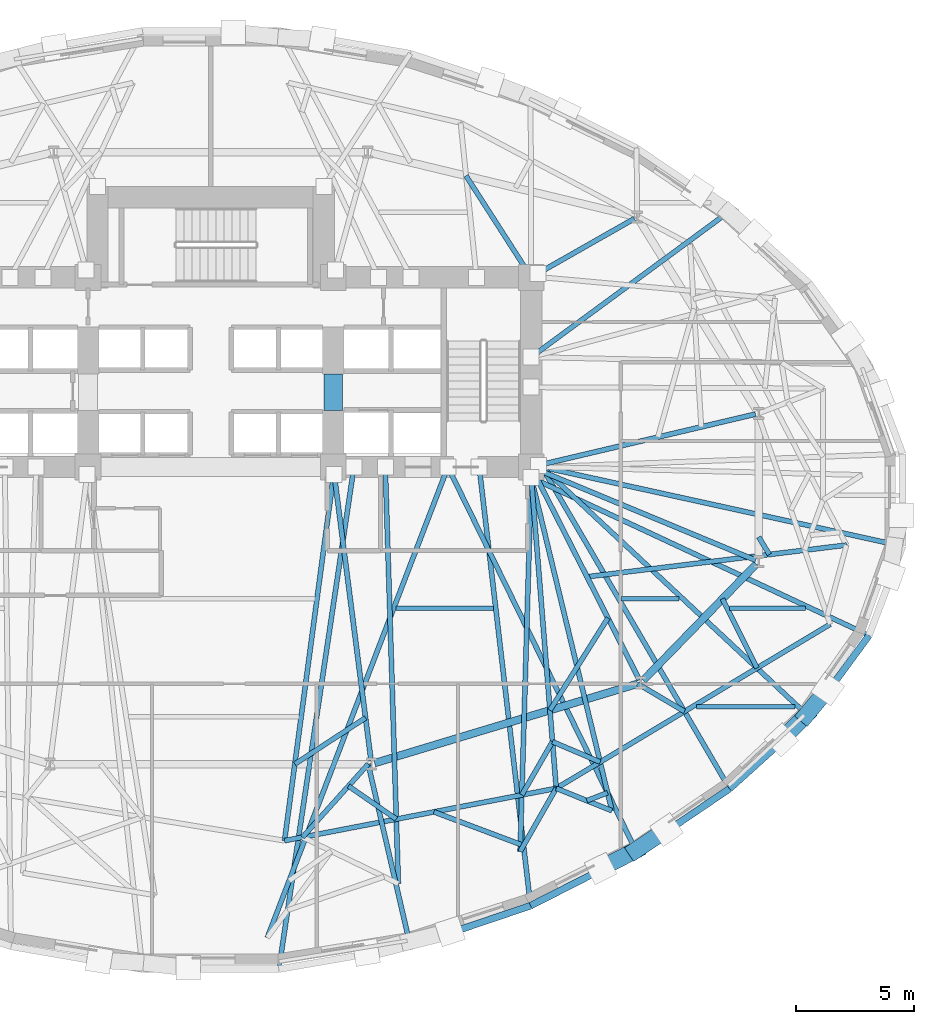
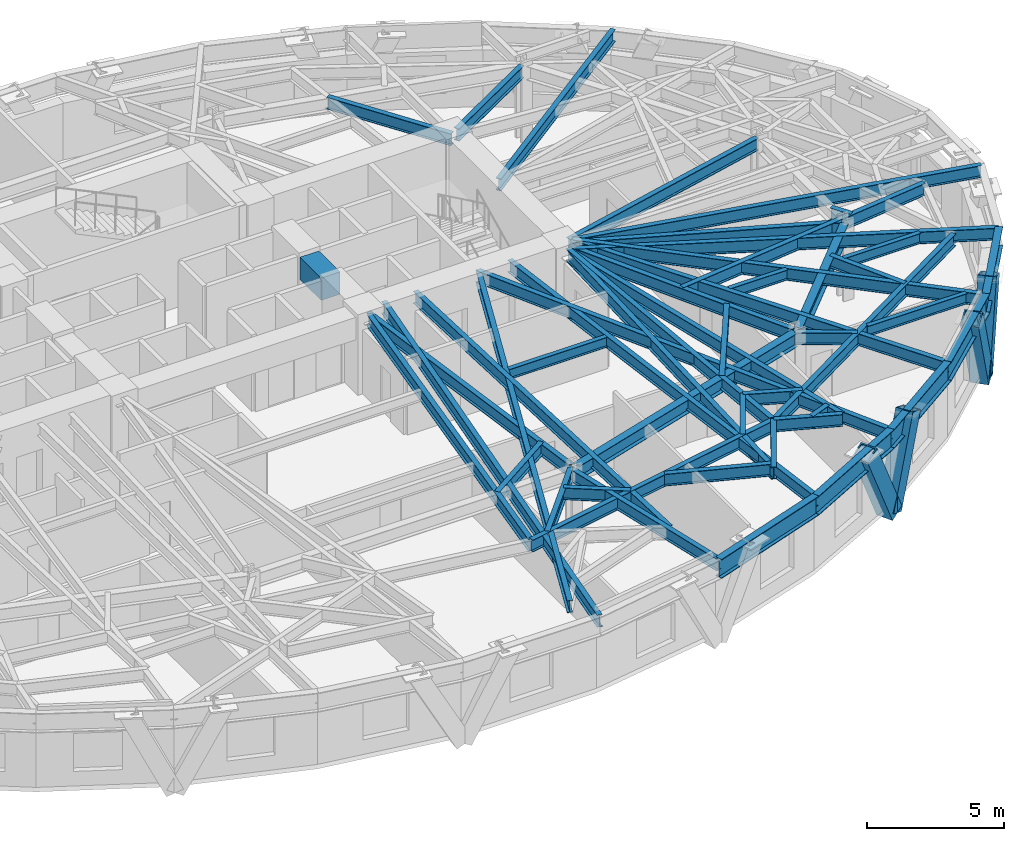
# One storey, part 3 of 14: 49 beams, 4 members.
"""IFC4 building model written with IfcOpenShell, lengths in metres."""

import ifcopenshell
import ifcopenshell.guid

model = None  # the IFC model being written
_history = None  # IfcOwnerHistory: only IFC2X3 demands one
_inside = {}  # id of a spatial element -> (the spatial element, [elements in it])
_under = {}  # id of a project, library or spatial element -> (it, [spatial elements below it])
_declared = {}  # id of a project -> (the project, [libraries it declares])
_typed = {}  # id of a type object -> (the type object, [elements of that type])
_made_of = {}  # id of a material, layer set ... -> (it, [elements and type objects made of it])


def new_model(schema):
    """Start an empty IFC model of exactly this schema.

    Asked for "IFC4X3", IfcOpenShell would pick the latest addendum, in which some entities
    have other attributes; the version numbers below select the first issue.
    IFC2X3 requires an IfcOwnerHistory on every rooted entity: one is made here for all.
    """
    global model, _history
    if schema == "IFC4X3":
        model = ifcopenshell.file(schema_version=(4, 3, 0, 0))
    else:
        model = ifcopenshell.file(schema=schema)
    _inside.clear()
    _under.clear()
    _declared.clear()
    _typed.clear()
    _made_of.clear()
    _history = None
    if model.schema == "IFC2X3":
        org = make("IfcOrganization", Name="unknown")
        user = make(
            "IfcPersonAndOrganization",
            ThePerson=make("IfcPerson", FamilyName="unknown"),
            TheOrganization=org,
        )
        app = make(
            "IfcApplication",
            ApplicationDeveloper=org,
            Version="unknown",
            ApplicationFullName="unknown",
            ApplicationIdentifier="unknown",
        )
        _history = make(
            "IfcOwnerHistory",
            OwningUser=user,
            OwningApplication=app,
            ChangeAction="ADDED",
            CreationDate=0,
        )
    return model


def make(cls, **values):
    """One entity of the class cls with the attributes given. An attribute that is None is left unset."""
    return model.create_entity(
        cls, **{name: value for name, value in values.items() if value is not None}
    )


def rooted(cls, **values):
    """An entity with a GlobalId (a new one), such as an element, a storey or a relation."""
    return make(cls, GlobalId=ifcopenshell.guid.new(), OwnerHistory=_history, **values)


def si_unit(unit_type, name, prefix=None):
    """IfcSIUnit, for example si_unit("LENGTHUNIT", "METRE", prefix="MILLI")."""
    return make("IfcSIUnit", UnitType=unit_type, Prefix=prefix, Name=name)


def assignment(units):
    """IfcUnitAssignment: the units of a project."""
    return None if units is None else make("IfcUnitAssignment", Units=units)


def point(xyz):
    """IfcCartesianPoint."""
    return None if xyz is None else make("IfcCartesianPoint", Coordinates=xyz)


def direction(xyz):
    """IfcDirection."""
    return None if xyz is None else make("IfcDirection", DirectionRatios=xyz)


def frame(location, z_axis=None, x_axis=None):
    """IfcAxis2Placement3D, a coordinate frame: its origin and axes. An axis left out is left unset."""
    return make(
        "IfcAxis2Placement3D",
        Location=point(location),
        Axis=direction(z_axis),
        RefDirection=direction(x_axis),
    )


def frame_2d(location, x_axis=None):
    """IfcAxis2Placement2D, a coordinate frame in the plane: its origin and x axis."""
    return make(
        "IfcAxis2Placement2D", Location=point(location), RefDirection=direction(x_axis)
    )


def origin():
    """The frame at (0, 0, 0) with its axes left unset."""
    return frame((0.0, 0.0, 0.0))


def origin_2d():
    """The frame at (0, 0) in the plane with its x axis left unset."""
    return frame_2d((0.0, 0.0))


def place(relative_to, where):
    """IfcLocalPlacement: puts the frame where relative to a parent placement (None: the world)."""
    return make(
        "IfcLocalPlacement", PlacementRelTo=relative_to, RelativePlacement=where
    )


def context(
    kind, dimensions, precision=None, world=None, true_north=None, identifier=None
):
    """IfcGeometricRepresentationContext, for example the 3D "Model" context."""
    return make(
        "IfcGeometricRepresentationContext",
        ContextIdentifier=identifier,
        ContextType=kind,
        CoordinateSpaceDimension=dimensions,
        Precision=precision,
        WorldCoordinateSystem=world,
        TrueNorth=true_north,
    )


def subcontext(parent, identifier, kind, view, scale=None):
    """IfcGeometricRepresentationSubContext, for example "Body" below "Model"."""
    return make(
        "IfcGeometricRepresentationSubContext",
        ContextIdentifier=identifier,
        ContextType=kind,
        ParentContext=parent,
        TargetScale=scale,
        TargetView=view,
    )


def project(units=None, contexts=None):
    """IfcProject with its units and contexts."""
    return rooted(
        "IfcProject",
        Name="project",
        RepresentationContexts=contexts,
        UnitsInContext=assignment(units),
    )


def spatial(cls, under=None, at=None, **own):
    """A site, building, storey or space (cls), placed at a placement, below another one or the project."""
    s = rooted(cls, ObjectPlacement=at, **own)
    if under is not None:
        _under.setdefault(under.id(), (under, []))[1].append(s)
    return s


def profile(cls, at=None, kind="AREA", **sizes):
    """A parametric profile (cls). Its sizes go by their IFC names, for example OverallWidth=200.0."""
    return make(cls, ProfileType=kind, Position=at, **sizes)


def rectangle(**sizes):
    """IfcRectangleProfileDef."""
    return profile("IfcRectangleProfileDef", **sizes)


def hollow_rectangle(**sizes):
    """IfcRectangleHollowProfileDef."""
    return profile("IfcRectangleHollowProfileDef", **sizes)


def i_section(**sizes):
    """IfcIShapeProfileDef."""
    return profile("IfcIShapeProfileDef", **sizes)


def extrude(swept, where, along, depth):
    """IfcExtrudedAreaSolid: the profile swept, set in the frame where, extruded along a direction by depth."""
    return make(
        "IfcExtrudedAreaSolid",
        SweptArea=swept,
        Position=where,
        ExtrudedDirection=direction(along),
        Depth=depth,
    )


def shape(context_of_items, identifier, shape_type, items):
    """IfcShapeRepresentation: the items that make up one representation, for example the "Body"."""
    return make(
        "IfcShapeRepresentation",
        ContextOfItems=context_of_items,
        RepresentationIdentifier=identifier,
        RepresentationType=shape_type,
        Items=items,
    )


def material(Name=None, Category=None):
    """IfcMaterial."""
    return make("IfcMaterial", Name=Name, Category=Category)


def material_profile(
    of_material, cross_section, Name=None, Category=None, Priority=None
):
    """IfcMaterialProfile: a cross section and its material."""
    return make(
        "IfcMaterialProfile",
        Name=Name,
        Material=of_material,
        Profile=cross_section,
        Priority=Priority,
        Category=Category,
    )


def profile_set(profiles, Name=None, composite=None):
    """IfcMaterialProfileSet."""
    return make(
        "IfcMaterialProfileSet",
        Name=Name,
        MaterialProfiles=profiles,
        CompositeProfile=composite,
    )


def made_of(thing, what):
    """Note that an element or type object is made of a material, layer set ...; save() writes the relation."""
    if what is not None:
        _made_of.setdefault(what.id(), (what, []))[1].append(thing)
    return thing


def type_object(cls, material=None, **own):
    """A type object (cls), such as IfcWallType, which elements share."""
    return made_of(rooted(cls, **own), material)


def element(
    cls,
    number,
    at=None,
    inside=None,
    cuts=None,
    type_object=None,
    material=None,
    context=None,
    identifier="Body",
    shape_type=None,
    held_by="IfcProductDefinitionShape",
    body=None,
    shapes=None,
    **own,
):
    """One element of the class cls, such as IfcWall. Its Tag is "e" and its number.

    at: its placement. inside: the storey or other place that contains it. cuts: it is an
    opening in that element (IfcRelVoidsElement). A single representation is given by context,
    identifier, shape_type and body (its items); several are given by shapes. held_by: the class
    of the entity that holds the representations. save() writes the other relations.
    """
    e = rooted(cls, Tag="e%d" % number, ObjectPlacement=at, **own)
    if body is not None:
        shapes = [shape(context, identifier, shape_type, body)]
    if shapes is not None:
        e.Representation = make(held_by, Representations=shapes)
    if inside is not None:
        _inside.setdefault(inside.id(), (inside, []))[1].append(e)
    if cuts is not None:
        rooted(
            "IfcRelVoidsElement", RelatingBuildingElement=cuts, RelatedOpeningElement=e
        )
    if type_object is not None:
        _typed.setdefault(type_object.id(), (type_object, []))[1].append(e)
    return made_of(e, material)


def aggregate(whole, parts):
    """IfcRelAggregates: a whole, such as a stair, and the parts it consists of."""
    return rooted("IfcRelAggregates", RelatingObject=whole, RelatedObjects=parts)


def save(model, path):
    """Write the relations noted so far, then the file.

    IfcRelAggregates (storeys below a building ...), IfcRelContainedInSpatialStructure (elements
    in a storey), IfcRelDefinesByType, IfcRelAssociatesMaterial and IfcRelDeclares: one each for
    every whole, place, type object, material and project.
    """
    for whole, parts in _under.values():
        aggregate(whole, parts)
    for where, things in _inside.values():
        rooted(
            "IfcRelContainedInSpatialStructure",
            RelatedElements=things,
            RelatingStructure=where,
        )
    for kind, things in _typed.values():
        rooted("IfcRelDefinesByType", RelatedObjects=things, RelatingType=kind)
    for what, things in _made_of.values():
        rooted("IfcRelAssociatesMaterial", RelatedObjects=things, RelatingMaterial=what)
    for by, libraries in _declared.values():
        rooted("IfcRelDeclares", RelatingContext=by, RelatedDefinitions=libraries)
    model.write(path)


model = new_model("IFC4")

# Units and contexts
model_context = context("Model", 3, precision=1e-05, world=origin(), true_north=direction((0.0, 1.0)))
body_context = subcontext(model_context, "Body", "Model", "MODEL_VIEW")
ifc_project = project(units=[si_unit("LENGTHUNIT", "METRE"), si_unit("AREAUNIT", "SQUARE_METRE"), si_unit("VOLUMEUNIT", "CUBIC_METRE"), si_unit("PLANEANGLEUNIT", "RADIAN"), si_unit("MASSUNIT", "GRAM", prefix="KILO")], contexts=[model_context])

# Site, building, storey
site_placement = place(None, origin())
site = spatial("IfcSite", under=ifc_project, at=site_placement, CompositionType="ELEMENT")
building_placement = place(site_placement, origin())
building = spatial("IfcBuilding", under=site, at=building_placement, Name="Keldmark Tower", CompositionType="ELEMENT")
storey_placement = place(building_placement, frame((0.0, 0.0, 59.39990234375)))
storey = spatial("IfcBuildingStorey", under=building, at=storey_placement, Name="L15", CompositionType="ELEMENT", Elevation=59.39990234375)

# Beams
ifc_material_1 = material(Name="Steel ASTM A992 Grade 50", Category="steel")
ifc_material_profile_1 = material_profile(ifc_material_1, i_section(OverallWidth=0.19091796875, OverallDepth=0.45703125, WebThickness=0.009033203125, FlangeThickness=0.014404296875, at=origin_2d()), Name="W18X50")
ifc_profile_set_1 = profile_set([ifc_material_profile_1], Name="Steel ASTM A992 Grade 50")
beam_type_1 = type_object("IfcBeamType", Name="Composite Floor Joist W18X50", PredefinedType="JOIST", material=ifc_profile_set_1)
beam_1_placement = place(storey_placement, frame((20.620361328125, -8.780029296875, 3.171630859375), z_axis=(1.0, 0.0, 0.0), x_axis=(0.0, 1.0, 0.0)))
element("IfcBeam", 1, at=beam_1_placement, inside=storey, type_object=beam_type_1, Name="L15 Composite Floor Joist J04", PredefinedType="JOIST", context=body_context, shape_type="SweptSolid", body=[
    extrude(i_section(OverallWidth=0.19091796875, OverallDepth=0.45703125, WebThickness=0.009033203125, FlangeThickness=0.014404296875, at=origin_2d()), origin(), (0.0, 0.0, 1.0), 4.177734375),
])
beam_2_placement = place(storey_placement, frame((7.865234375, -4.60009765625, 3.171630859375), z_axis=(1.0, 0.0, 0.0), x_axis=(0.0, 1.0, 0.0)))
element("IfcBeam", 2, at=beam_2_placement, inside=storey, type_object=beam_type_1, Name="L15 Composite Floor Joist J09", PredefinedType="JOIST", context=body_context, shape_type="SweptSolid", body=[
    extrude(i_section(OverallWidth=0.19091796875, OverallDepth=0.45703125, WebThickness=0.009033203125, FlangeThickness=0.014404296875, at=origin_2d()), origin(), (0.0, 0.0, 1.0), 4.133544921875),
])
beam_3_placement = place(storey_placement, frame((17.418212890625, -4.179931640625, 3.171630859375), z_axis=(1.0, 0.0, 0.0), x_axis=(0.0, 1.0, 0.0)))
element("IfcBeam", 3, at=beam_3_placement, inside=storey, type_object=beam_type_1, Name="L15 Composite Floor Joist J10", PredefinedType="JOIST", context=body_context, shape_type="SweptSolid", body=[
    extrude(i_section(OverallWidth=0.19091796875, OverallDepth=0.45703125, WebThickness=0.009033203125, FlangeThickness=0.014404296875, at=origin_2d()), origin(), (0.0, 0.0, 1.0), 2.45849609375),
])
beam_4_placement = place(storey_placement, frame((22.023681640625, -4.60009765625, 3.171630859375), z_axis=(1.0, 0.0, 0.0), x_axis=(0.0, 1.0, 0.0)))
element("IfcBeam", 4, at=beam_4_placement, inside=storey, type_object=beam_type_1, Name="L15 Composite Floor Joist J11", PredefinedType="JOIST", context=body_context, shape_type="SweptSolid", body=[
    extrude(i_section(OverallWidth=0.19091796875, OverallDepth=0.45703125, WebThickness=0.009033203125, FlangeThickness=0.014404296875, at=origin_2d()), origin(), (0.0, 0.0, 1.0), 3.224853515625),
])
ifc_material_2 = material(Name="Concrete C70/85", Category="concrete")
ifc_material_profile_2 = material_profile(ifc_material_2, rectangle(XDim=0.800048828125, YDim=1.0, at=origin_2d()), Name="RCB800X1000")
ifc_profile_set_2 = profile_set([ifc_material_profile_2], Name="Concrete C70/85")
beam_type_2 = type_object("IfcBeamType", Name="Core Coupling Beam RCB800X1000", PredefinedType="USERDEFINED", material=ifc_profile_set_2)
beam_5_placement = place(storey_placement, frame((5.199951171875, 3.800048828125, 2.900146484375), z_axis=(0.0, 1.0, 0.0), x_axis=(-1.0, 0.0, 0.0)))
element("IfcBeam", 5, at=beam_5_placement, inside=storey, type_object=beam_type_2, Name="L15 East Core Coupling Beam", ObjectType="COUPLING BEAM", PredefinedType="USERDEFINED", context=body_context, shape_type="SweptSolid", body=[
    extrude(rectangle(XDim=0.800048828125, YDim=1.0, at=origin_2d()), origin(), (0.0, 0.0, 1.0), 1.550048828125),
])

# Members
ifc_material_3 = material(Name="Steel ASTM A572 Grade 50", Category="steel")
ifc_material_profile_3 = material_profile(ifc_material_3, hollow_rectangle(XDim=0.699951171875, YDim=0.699951171875, WallThickness=0.054931640625, at=origin_2d()), Name="BOX700X700X55")
ifc_profile_set_3 = profile_set([ifc_material_profile_3], Name="Steel ASTM A572 Grade 50")
member_type = type_object("IfcMemberType", Name="Diagrid Zone 1 Brace BOX700X700X55", PredefinedType="BRACE", material=ifc_profile_set_3)
member_1_placement = place(storey_placement, frame((18.03173828125, -14.866455078125, -0.27978515625), z_axis=(-0.378672479434, -0.195912137951, 0.904558227823), x_axis=(0.459510002259, -0.888172594614, 0.0)))
element("IfcMember", 6, at=member_1_placement, inside=storey, type_object=member_type, Name="L15 Perimeter Diagrid Brace 14A", PredefinedType="BRACE", context=body_context, shape_type="SweptSolid", body=[
    extrude(hollow_rectangle(XDim=0.699951171875, YDim=0.699951171875, WallThickness=0.054931640625, at=origin_2d()), origin(), (0.0, 0.0, 1.0), 3.935302734375),
])
member_2_placement = place(storey_placement, frame((18.02197265625, -14.873046875, -0.27978515625), z_axis=(0.339507835658, 0.226818530074, 0.912845980405), x_axis=(-0.555513758134, 0.831507344841, 0.0)))
element("IfcMember", 7, at=member_2_placement, inside=storey, type_object=member_type, Name="L15 Perimeter Diagrid Brace 14B", PredefinedType="BRACE", context=body_context, shape_type="SweptSolid", body=[
    extrude(hollow_rectangle(XDim=0.699951171875, YDim=0.699951171875, WallThickness=0.054931640625, at=origin_2d()), origin(), (0.0, 0.0, 1.0), 3.899658203125),
])
member_3_placement = place(storey_placement, frame((25.257080078125, -9.13134765625, -0.27978515625), z_axis=(-0.268908672115, -0.272266862413, 0.923882504268), x_axis=(0.711480936802, -0.702705398135, 0.0)))
element("IfcMember", 8, at=member_3_placement, inside=storey, type_object=member_type, Name="L15 Perimeter Diagrid Brace 15A", PredefinedType="BRACE", context=body_context, shape_type="SweptSolid", body=[
    extrude(hollow_rectangle(XDim=0.699951171875, YDim=0.699951171875, WallThickness=0.054931640625, at=origin_2d()), origin(), (0.0, 0.0, 1.0), 3.85302734375),
])
member_4_placement = place(storey_placement, frame((25.25048828125, -9.14111328125, -0.27978515625), z_axis=(0.243482315817, 0.290884267841, 0.925258182675), x_axis=(-0.766820858805, 0.641861176971, 0.0)))
element("IfcMember", 9, at=member_4_placement, inside=storey, type_object=member_type, Name="L15 Perimeter Diagrid Brace 15B", PredefinedType="BRACE", context=body_context, shape_type="SweptSolid", body=[
    extrude(hollow_rectangle(XDim=0.699951171875, YDim=0.699951171875, WallThickness=0.054931640625, at=origin_2d()), origin(), (0.0, 0.0, 1.0), 3.847412109375),
])

# Beams
ifc_material_4 = material(Name="Steel ASTM A992 Grade 50", Category="steel")
ifc_material_profile_4 = material_profile(ifc_material_4, i_section(OverallWidth=0.323974609375, OverallDepth=0.611083984375, WebThickness=0.0126953125, FlangeThickness=0.01904296875, at=origin_2d()), Name="W24X104")
ifc_profile_set_4 = profile_set([ifc_material_profile_4], Name="Steel ASTM A992 Grade 50")
beam_type_3 = type_object("IfcBeamType", Name="Primary Floor Girder W24X104", PredefinedType="BEAM", material=ifc_profile_set_4)
beam_6_placement = place(storey_placement, frame((6.9560546875, -11.165283203125, 3.094482421875), z_axis=(0.957346071406, 0.2889437654, 0.0), x_axis=(-0.2889437654, 0.957346071406, 0.0)))
element("IfcBeam", 10, at=beam_6_placement, inside=storey, type_object=beam_type_3, Name="L15 Floor Ring Girder FG-R10", PredefinedType="BEAM", context=body_context, shape_type="SweptSolid", body=[
    extrude(i_section(OverallWidth=0.323974609375, OverallDepth=0.611083984375, WebThickness=0.0126953125, FlangeThickness=0.01904296875, at=origin_2d()), origin(), (0.0, 0.0, 1.0), 11.66015625),
])
beam_7_placement = place(storey_placement, frame((18.350341796875, -7.6552734375, 3.094482421875), z_axis=(0.697210382268, 0.716866572563, 0.0), x_axis=(-0.716866572563, 0.697210382268, 0.0)))
element("IfcBeam", 11, at=beam_7_placement, inside=storey, type_object=beam_type_3, Name="L15 Floor Ring Girder FG-R11", PredefinedType="BEAM", context=body_context, shape_type="SweptSolid", body=[
    extrude(i_section(OverallWidth=0.323974609375, OverallDepth=0.611083984375, WebThickness=0.0126953125, FlangeThickness=0.01904296875, at=origin_2d()), origin(), (0.0, 0.0, 1.0), 6.893310546875),
])
ifc_material_5 = material(Name="Steel ASTM A992 Grade 50", Category="steel")
ifc_material_profile_5 = material_profile(ifc_material_5, i_section(OverallWidth=0.2099609375, OverallDepth=0.537109375, WebThickness=0.010986328125, FlangeThickness=0.017333984375, at=origin_2d()), Name="W21X68")
ifc_profile_set_5 = profile_set([ifc_material_profile_5], Name="Steel ASTM A992 Grade 50")
beam_type_4 = type_object("IfcBeamType", Name="Radial Tie Girder W21X68", PredefinedType="BEAM", material=ifc_profile_set_5)
beam_8_placement = place(storey_placement, frame((13.60009765625, 9.449951171875, 3.131591796875), z_axis=(-0.540328331068, 0.841454273651, 0.0), x_axis=(-0.841454273651, -0.540328331068, 0.0)))
element("IfcBeam", 12, at=beam_8_placement, inside=storey, type_object=beam_type_4, Name="L15 Framing Pin Header PH-002", PredefinedType="BEAM", context=body_context, shape_type="SweptSolid", body=[
    extrude(i_section(OverallWidth=0.2099609375, OverallDepth=0.537109375, WebThickness=0.010986328125, FlangeThickness=0.017333984375, at=origin_2d()), origin(), (0.0, 0.0, 1.0), 5.117431640625),
])
beam_9_placement = place(storey_placement, frame((23.25390625, -1.571533203125, 3.131591796875), z_axis=(0.519661140087, -0.85437245946, 0.0), x_axis=(0.85437245946, 0.519661140087, 0.0)))
element("IfcBeam", 13, at=beam_9_placement, inside=storey, type_object=beam_type_4, Name="L15 Framing Pin Header PH-008", PredefinedType="BEAM", context=body_context, shape_type="SweptSolid", body=[
    extrude(i_section(OverallWidth=0.2099609375, OverallDepth=0.537109375, WebThickness=0.010986328125, FlangeThickness=0.017333984375, at=origin_2d()), origin(), (0.0, 0.0, 1.0), 0.8671875),
])
beam_10_placement = place(storey_placement, frame((15.96728515625, -3.258056640625, 3.131591796875), z_axis=(0.992616109311, 0.121298225607, 0.0), x_axis=(-0.121298225607, 0.992616109311, 0.0)))
element("IfcBeam", 14, at=beam_10_placement, inside=storey, type_object=beam_type_4, Name="L15 Sub-Ring Step Girder STP1-M12", PredefinedType="BEAM", context=body_context, shape_type="SweptSolid", body=[
    extrude(i_section(OverallWidth=0.2099609375, OverallDepth=0.537109375, WebThickness=0.010986328125, FlangeThickness=0.017333984375, at=origin_2d()), origin(), (0.0, 0.0, 1.0), 11.092041015625),
])
beam_11_placement = place(storey_placement, frame((6.569580078125, -9.24462890625, 3.131591796875), z_axis=(-0.837096760178, -0.547054854744, 0.0), x_axis=(0.547054854744, -0.837096760178, 0.0)))
element("IfcBeam", 15, at=beam_11_placement, inside=storey, type_object=beam_type_4, Name="L15 Framing Pin Header PH-012", PredefinedType="BEAM", context=body_context, shape_type="SweptSolid", body=[
    extrude(i_section(OverallWidth=0.2099609375, OverallDepth=0.537109375, WebThickness=0.010986328125, FlangeThickness=0.017333984375, at=origin_2d()), origin(), (0.0, 0.0, 1.0), 3.5849609375),
])
beam_12_placement = place(storey_placement, frame((5.199951171875, 0.949951171875, 3.131591796875), z_axis=(-0.133003185114, -0.991115610184, 0.0), x_axis=(0.991115610184, -0.133003185114, 0.0)))
element("IfcBeam", 16, at=beam_12_placement, inside=storey, type_object=beam_type_4, Name="L15 Sub-Ring Step Girder STP2-M10", PredefinedType="BEAM", context=body_context, shape_type="SweptSolid", body=[
    extrude(i_section(OverallWidth=0.2099609375, OverallDepth=0.537109375, WebThickness=0.010986328125, FlangeThickness=0.017333984375, at=origin_2d()), origin(), (0.0, 0.0, 1.0), 15.5439453125),
])
beam_13_placement = place(storey_placement, frame((16.856201171875, -5.007080078125, 3.131591796875), z_axis=(-0.532484074193, -0.846440021934, 0.0), x_axis=(0.846440021934, -0.532484074193, 0.0)))
element("IfcBeam", 17, at=beam_13_placement, inside=storey, type_object=beam_type_4, Name="L15 Framing Pin Header PH-013", PredefinedType="BEAM", context=body_context, shape_type="SweptSolid", body=[
    extrude(i_section(OverallWidth=0.2099609375, OverallDepth=0.537109375, WebThickness=0.010986328125, FlangeThickness=0.017333984375, at=origin_2d()), origin(), (0.0, 0.0, 1.0), 4.623046875),
])
beam_14_placement = place(storey_placement, frame((13.60009765625, 0.949951171875, 3.131591796875), z_axis=(0.08023452578, -0.996776013392, 0.0), x_axis=(0.996776013392, 0.08023452578, 0.0)))
element("IfcBeam", 18, at=beam_14_placement, inside=storey, type_object=beam_type_4, Name="L15 Sub-Ring Step Girder STP2-M11", PredefinedType="BEAM", context=body_context, shape_type="SweptSolid", body=[
    extrude(i_section(OverallWidth=0.2099609375, OverallDepth=0.537109375, WebThickness=0.010986328125, FlangeThickness=0.017333984375, at=origin_2d()), origin(), (0.0, 0.0, 1.0), 13.227294921875),
])
beam_15_placement = place(storey_placement, frame((3.132568359375, -14.455810546875, 3.131591796875), z_axis=(0.981941425694, 0.189185191033, 0.0), x_axis=(-0.189185191033, 0.981941425694, 0.0)))
element("IfcBeam", 19, at=beam_15_placement, inside=storey, type_object=beam_type_4, Name="L15 Perimeter Collector Ring Beam CRG2-M10", PredefinedType="BEAM", context=body_context, shape_type="SweptSolid", body=[
    extrude(i_section(OverallWidth=0.2099609375, OverallDepth=0.537109375, WebThickness=0.010986328125, FlangeThickness=0.017333984375, at=origin_2d()), origin(), (0.0, 0.0, 1.0), 11.74072265625),
])
beam_16_placement = place(storey_placement, frame((14.661376953125, -12.234619140625, 3.131591796875), z_axis=(0.857877368716, 0.5138544738, 0.0), x_axis=(-0.5138544738, 0.857877368716, 0.0)))
element("IfcBeam", 20, at=beam_16_placement, inside=storey, type_object=beam_type_4, Name="L15 Perimeter Collector Ring Beam CRG2-M11", PredefinedType="BEAM", context=body_context, shape_type="SweptSolid", body=[
    extrude(i_section(OverallWidth=0.2099609375, OverallDepth=0.537109375, WebThickness=0.010986328125, FlangeThickness=0.017333984375, at=origin_2d()), origin(), (0.0, 0.0, 1.0), 13.5517578125),
])
beam_17_placement = place(storey_placement, frame((13.60009765625, 6.064208984375, 3.131591796875), z_axis=(0.805740902522, 0.592268180813, 0.0), x_axis=(-0.592268180813, 0.805740902522, 0.0)))
element("IfcBeam", 21, at=beam_17_placement, inside=storey, type_object=beam_type_4, Name="L15 Perimeter Radial Tie Girder RT-04", PredefinedType="BEAM", context=body_context, shape_type="SweptSolid", body=[
    extrude(i_section(OverallWidth=0.2099609375, OverallDepth=0.537109375, WebThickness=0.010986328125, FlangeThickness=0.017333984375, at=origin_2d()), origin(), (0.0, 0.0, 1.0), 10.445068359375),
])
beam_18_placement = place(storey_placement, frame((6.68212890625, -11.205810546875, 3.131591796875), z_axis=(-0.667957976206, -0.744198993565, 0.0), x_axis=(0.744198993565, -0.667957976206, 0.0)))
element("IfcBeam", 22, at=beam_18_placement, inside=storey, type_object=beam_type_4, Name="L15 Framing Pin Header PH-036", PredefinedType="BEAM", context=body_context, shape_type="SweptSolid", body=[
    extrude(i_section(OverallWidth=0.2099609375, OverallDepth=0.537109375, WebThickness=0.010986328125, FlangeThickness=0.017333984375, at=origin_2d()), origin(), (0.0, 0.0, 1.0), 4.169189453125),
])
beam_19_placement = place(storey_placement, frame((5.8466796875, -12.13671875, 3.131591796875), z_axis=(0.822088910056, -0.569359134434, 0.0), x_axis=(0.569359134434, 0.822088910056, 0.0)))
element("IfcBeam", 23, at=beam_19_placement, inside=storey, type_object=beam_type_4, Name="L15 Framing Pin Header PH-037", PredefinedType="BEAM", context=body_context, shape_type="SweptSolid", body=[
    extrude(i_section(OverallWidth=0.2099609375, OverallDepth=0.537109375, WebThickness=0.010986328125, FlangeThickness=0.017333984375, at=origin_2d()), origin(), (0.0, 0.0, 1.0), 2.46826171875),
])
beam_20_placement = place(storey_placement, frame((7.406982421875, 1.39990234375, 3.131591796875), z_axis=(0.031354958727, -0.999508312403, 0.0), x_axis=(0.999508312403, 0.031354958727, 0.0)))
element("IfcBeam", 24, at=beam_20_placement, inside=storey, type_object=beam_type_4, Name="L15 Intermediate Radial Step Girder RT-26M", PredefinedType="BEAM", context=body_context, shape_type="SweptSolid", body=[
    extrude(i_section(OverallWidth=0.2099609375, OverallDepth=0.537109375, WebThickness=0.010986328125, FlangeThickness=0.017333984375, at=origin_2d()), origin(), (0.0, 0.0, 1.0), 17.690673828125),
])
beam_21_placement = place(storey_placement, frame((6.68212890625, -11.205810546875, 3.131591796875), z_axis=(0.225697187099, -0.974197505507, 0.0), x_axis=(0.974197505507, 0.225697187099, 0.0)))
element("IfcBeam", 25, at=beam_21_placement, inside=storey, type_object=beam_type_4, Name="L15 Perimeter Radial Tie Girder RT-26", PredefinedType="BEAM", context=body_context, shape_type="SweptSolid", body=[
    extrude(i_section(OverallWidth=0.2099609375, OverallDepth=0.537109375, WebThickness=0.010986328125, FlangeThickness=0.017333984375, at=origin_2d()), origin(), (0.0, 0.0, 1.0), 7.938720703125),
])
beam_22_placement = place(storey_placement, frame((14.502197265625, -10.2568359375, 3.131591796875), z_axis=(-0.499211642486, -0.866480084022, 0.0), x_axis=(0.866480084022, -0.499211642486, 0.0)))
element("IfcBeam", 26, at=beam_22_placement, inside=storey, type_object=beam_type_4, Name="L15 Framing Pin Header PH-038", PredefinedType="BEAM", context=body_context, shape_type="SweptSolid", body=[
    extrude(i_section(OverallWidth=0.2099609375, OverallDepth=0.537109375, WebThickness=0.010986328125, FlangeThickness=0.017333984375, at=origin_2d()), origin(), (0.0, 0.0, 1.0), 2.607177734375),
])
beam_23_placement = place(storey_placement, frame((13.60009765625, 0.949951171875, 3.131591796875), z_axis=(-0.029639057113, -0.99956066664, 0.0), x_axis=(0.99956066664, -0.029639057113, 0.0)))
element("IfcBeam", 27, at=beam_23_placement, inside=storey, type_object=beam_type_4, Name="L15 Intermediate Radial Step Girder RT-27M", PredefinedType="BEAM", context=body_context, shape_type="SweptSolid", body=[
    extrude(i_section(OverallWidth=0.2099609375, OverallDepth=0.537109375, WebThickness=0.010986328125, FlangeThickness=0.017333984375, at=origin_2d()), origin(), (0.0, 0.0, 1.0), 15.873046875),
])
beam_24_placement = place(storey_placement, frame((14.661376953125, -12.234619140625, 3.131591796875), z_axis=(-0.496019736177, -0.868311246802, 0.0), x_axis=(0.868311246802, -0.496019736177, 0.0)))
element("IfcBeam", 28, at=beam_24_placement, inside=storey, type_object=beam_type_4, Name="L15 Local Collector Chord RT-27C", PredefinedType="BEAM", context=body_context, shape_type="SweptSolid", body=[
    extrude(i_section(OverallWidth=0.2099609375, OverallDepth=0.537109375, WebThickness=0.010986328125, FlangeThickness=0.017333984375, at=origin_2d()), origin(), (0.0, 0.0, 1.0), 3.088134765625),
])
beam_25_placement = place(storey_placement, frame((9.473388671875, -13.234130859375, 3.131591796875), z_axis=(0.936005079475, -0.351986492918, 0.0), x_axis=(0.351986492918, 0.936005079475, 0.0)))
element("IfcBeam", 29, at=beam_25_placement, inside=storey, type_object=beam_type_4, Name="L15 Framing Pin Header PH-039", PredefinedType="BEAM", context=body_context, shape_type="SweptSolid", body=[
    extrude(i_section(OverallWidth=0.2099609375, OverallDepth=0.537109375, WebThickness=0.010986328125, FlangeThickness=0.017333984375, at=origin_2d()), origin(), (0.0, 0.0, 1.0), 4.060302734375),
])
beam_26_placement = place(storey_placement, frame((11.392822265625, 1.39990234375, 3.131591796875), z_axis=(0.116313738598, -0.993212522179, 0.0), x_axis=(0.993212522179, 0.116313738598, 0.0)))
element("IfcBeam", 30, at=beam_26_placement, inside=storey, type_object=beam_type_4, Name="L15 Perimeter Radial Tie Girder RT-27", PredefinedType="BEAM", context=body_context, shape_type="SweptSolid", body=[
    extrude(i_section(OverallWidth=0.2099609375, OverallDepth=0.537109375, WebThickness=0.010986328125, FlangeThickness=0.017333984375, at=origin_2d()), origin(), (0.0, 0.0, 1.0), 18.743896484375),
])
beam_27_placement = place(storey_placement, frame((14.502197265625, -10.2568359375, 3.131591796875), z_axis=(0.919884510571, -0.392189351222, 0.0), x_axis=(0.392189351222, 0.919884510571, 0.0)))
element("IfcBeam", 31, at=beam_27_placement, inside=storey, type_object=beam_type_4, Name="L15 Framing Pin Header PH-040", PredefinedType="BEAM", context=body_context, shape_type="SweptSolid", body=[
    extrude(i_section(OverallWidth=0.2099609375, OverallDepth=0.537109375, WebThickness=0.010986328125, FlangeThickness=0.017333984375, at=origin_2d()), origin(), (0.0, 0.0, 1.0), 2.197998046875),
])
beam_28_placement = place(storey_placement, frame((13.60009765625, 0.949951171875, 3.131591796875), z_axis=(0.235471269298, -0.971881310313, 0.0), x_axis=(0.971881310313, 0.235471269298, 0.0)))
element("IfcBeam", 32, at=beam_28_placement, inside=storey, type_object=beam_type_4, Name="L15 Intermediate Radial Step Girder RT-28M", PredefinedType="BEAM", context=body_context, shape_type="SweptSolid", body=[
    extrude(i_section(OverallWidth=0.2099609375, OverallDepth=0.537109375, WebThickness=0.010986328125, FlangeThickness=0.017333984375, at=origin_2d()), origin(), (0.0, 0.0, 1.0), 14.54443359375),
])
beam_29_placement = place(storey_placement, frame((14.661376953125, -12.234619140625, 3.131591796875), z_axis=(0.927728002415, -0.373256953766, 0.0), x_axis=(0.373256953766, 0.927728002415, 0.0)))
element("IfcBeam", 33, at=beam_29_placement, inside=storey, type_object=beam_type_4, Name="L15 Local Collector Chord RT-28C", PredefinedType="BEAM", context=body_context, shape_type="SweptSolid", body=[
    extrude(i_section(OverallWidth=0.2099609375, OverallDepth=0.537109375, WebThickness=0.010986328125, FlangeThickness=0.017333984375, at=origin_2d()), origin(), (0.0, 0.0, 1.0), 2.547607421875),
])
beam_30_placement = place(storey_placement, frame((15.961181640625, -12.757568359375, 3.131591796875), z_axis=(0.934059473724, 0.357117487036, 0.0), x_axis=(-0.357117487036, 0.934059473724, 0.0)))
element("IfcBeam", 34, at=beam_30_placement, inside=storey, type_object=beam_type_4, Name="L15 Framing Pin Header PH-041", PredefinedType="BEAM", context=body_context, shape_type="SweptSolid", body=[
    extrude(i_section(OverallWidth=0.2099609375, OverallDepth=0.537109375, WebThickness=0.010986328125, FlangeThickness=0.017333984375, at=origin_2d()), origin(), (0.0, 0.0, 1.0), 0.940673828125),
])
beam_31_placement = place(storey_placement, frame((10.064208984375, 1.39990234375, 3.131591796875), z_axis=(0.440175046823, -0.89791198241, 0.0), x_axis=(0.89791198241, 0.440175046823, 0.0)))
element("IfcBeam", 35, at=beam_31_placement, inside=storey, type_object=beam_type_4, Name="L15 Perimeter Radial Tie Girder RT-28", PredefinedType="BEAM", context=body_context, shape_type="SweptSolid", body=[
    extrude(i_section(OverallWidth=0.2099609375, OverallDepth=0.537109375, WebThickness=0.010986328125, FlangeThickness=0.017333984375, at=origin_2d()), origin(), (0.0, 0.0, 1.0), 18.183349609375),
])
beam_32_placement = place(storey_placement, frame((18.118896484375, -7.796142578125, 3.131591796875), z_axis=(0.85996497943, -0.51035304854, 0.0), x_axis=(0.51035304854, 0.85996497943, 0.0)))
element("IfcBeam", 36, at=beam_32_placement, inside=storey, type_object=beam_type_4, Name="L15 Framing Pin Header PH-042", PredefinedType="BEAM", context=body_context, shape_type="SweptSolid", body=[
    extrude(i_section(OverallWidth=0.2099609375, OverallDepth=0.537109375, WebThickness=0.010986328125, FlangeThickness=0.017333984375, at=origin_2d()), origin(), (0.0, 0.0, 1.0), 2.30859375),
])
beam_33_placement = place(storey_placement, frame((14.050048828125, 1.39990234375, 3.131591796875), z_axis=(0.50402853114, -0.863687003374, 0.0), x_axis=(0.863687003374, 0.50402853114, 0.0)))
element("IfcBeam", 37, at=beam_33_placement, inside=storey, type_object=beam_type_4, Name="L15 Perimeter Radial Tie Girder RT-29", PredefinedType="BEAM", context=body_context, shape_type="SweptSolid", body=[
    extrude(i_section(OverallWidth=0.2099609375, OverallDepth=0.537109375, WebThickness=0.010986328125, FlangeThickness=0.017333984375, at=origin_2d()), origin(), (0.0, 0.0, 1.0), 15.8046875),
])
beam_34_placement = place(storey_placement, frame((21.714599609375, -4.196044921875, 3.131591796875), z_axis=(0.446171704156, -0.894947378571, 0.0), x_axis=(0.894947378571, 0.446171704156, 0.0)))
element("IfcBeam", 38, at=beam_34_placement, inside=storey, type_object=beam_type_4, Name="L15 Framing Pin Header PH-043", PredefinedType="BEAM", context=body_context, shape_type="SweptSolid", body=[
    extrude(i_section(OverallWidth=0.2099609375, OverallDepth=0.537109375, WebThickness=0.010986328125, FlangeThickness=0.017333984375, at=origin_2d()), origin(), (0.0, 0.0, 1.0), 3.281494140625),
])
beam_35_placement = place(storey_placement, frame((14.050048828125, 1.39990234375, 3.131591796875), z_axis=(0.730549959709, -0.682859250775, 0.0), x_axis=(0.682859250775, 0.730549959709, 0.0)))
element("IfcBeam", 39, at=beam_35_placement, inside=storey, type_object=beam_type_4, Name="L15 Perimeter Radial Tie Girder RT-30", PredefinedType="BEAM", context=body_context, shape_type="SweptSolid", body=[
    extrude(i_section(OverallWidth=0.2099609375, OverallDepth=0.537109375, WebThickness=0.010986328125, FlangeThickness=0.017333984375, at=origin_2d()), origin(), (0.0, 0.0, 1.0), 15.526611328125),
])
beam_36_placement = place(storey_placement, frame((13.60009765625, 0.949951171875, 3.131591796875), z_axis=(0.906037612237, -0.423197170609, 0.0), x_axis=(0.423197170609, 0.906037612237, 0.0)))
element("IfcBeam", 40, at=beam_36_placement, inside=storey, type_object=beam_type_4, Name="L15 Perimeter Radial Tie Girder RT-31", PredefinedType="BEAM", context=body_context, shape_type="SweptSolid", body=[
    extrude(i_section(OverallWidth=0.2099609375, OverallDepth=0.537109375, WebThickness=0.010986328125, FlangeThickness=0.017333984375, at=origin_2d()), origin(), (0.0, 0.0, 1.0), 15.82080078125),
])
beam_37_placement = place(storey_placement, frame((14.050048828125, 1.39990234375, 3.131591796875), z_axis=(0.976749195639, -0.214385187964, 0.0), x_axis=(0.214385187964, 0.976749195639, 0.0)))
element("IfcBeam", 41, at=beam_37_placement, inside=storey, type_object=beam_type_4, Name="L15 Perimeter Radial Tie Girder RT-32", PredefinedType="BEAM", context=body_context, shape_type="SweptSolid", body=[
    extrude(i_section(OverallWidth=0.2099609375, OverallDepth=0.537109375, WebThickness=0.010986328125, FlangeThickness=0.017333984375, at=origin_2d()), origin(), (0.0, 0.0, 1.0), 15.675537109375),
])
beam_38_placement = place(storey_placement, frame((10.064208984375, 1.39990234375, 3.131591796875), z_axis=(-0.358226516433, -0.933634705291, 0.0), x_axis=(0.933634705291, -0.358226516433, 0.0)))
element("IfcBeam", 42, at=beam_38_placement, inside=storey, type_object=beam_type_4, Name="L15 Crown Step Radial Girder RT-25RN2", PredefinedType="BEAM", context=body_context, shape_type="SweptSolid", body=[
    extrude(i_section(OverallWidth=0.2099609375, OverallDepth=0.537109375, WebThickness=0.010986328125, FlangeThickness=0.017333984375, at=origin_2d()), origin(), (0.0, 0.0, 1.0), 21.39453125),
])
beam_39_placement = place(storey_placement, frame((6.07861328125, 1.39990234375, 3.131591796875), z_axis=(-0.147918186262, -0.988999600694, 0.0), x_axis=(0.988999600694, -0.147918186262, 0.0)))
element("IfcBeam", 43, at=beam_39_placement, inside=storey, type_object=beam_type_4, Name="L15 Perimeter Radial Tie Girder RT-25R", PredefinedType="BEAM", context=body_context, shape_type="SweptSolid", body=[
    extrude(i_section(OverallWidth=0.2099609375, OverallDepth=0.537109375, WebThickness=0.010986328125, FlangeThickness=0.017333984375, at=origin_2d()), origin(), (0.0, 0.0, 1.0), 21.544189453125),
])
ifc_material_6 = material(Name="Steel ASTM A992 Grade 50", Category="steel")
ifc_material_profile_6 = material_profile(ifc_material_6, i_section(OverallWidth=0.214111328125, OverallDepth=0.549072265625, WebThickness=0.0146484375, FlangeThickness=0.023681640625, at=origin_2d()), Name="W21X93")
ifc_profile_set_6 = profile_set([ifc_material_profile_6], Name="Steel ASTM A992 Grade 50")
beam_type_5 = type_object("IfcBeamType", Name="Radial Tie Girder W21X93", PredefinedType="BEAM", material=ifc_profile_set_6)
beam_40_placement = place(storey_placement, frame((23.11767578125, 3.64501953125, 3.12548828125), z_axis=(-0.973287364179, -0.229590301909, 0.0), x_axis=(0.229590301909, -0.973287364179, 0.0)))
element("IfcBeam", 44, at=beam_40_placement, inside=storey, type_object=beam_type_5, Name="L15 Floor Radial Girder FG-C01", PredefinedType="BEAM", context=body_context, shape_type="SweptSolid", body=[
    extrude(i_section(OverallWidth=0.214111328125, OverallDepth=0.549072265625, WebThickness=0.0146484375, FlangeThickness=0.023681640625, at=origin_2d()), origin(), (0.0, 0.0, 1.0), 9.458740234375),
])
beam_41_placement = place(storey_placement, frame((17.97607421875, 11.938232421875, 3.12548828125), z_axis=(-0.869299282131, -0.494286109542, 0.0), x_axis=(0.494286109542, -0.869299282131, 0.0)))
element("IfcBeam", 45, at=beam_41_placement, inside=storey, type_object=beam_type_5, Name="L15 Floor Radial Girder FG-C02", PredefinedType="BEAM", context=body_context, shape_type="SweptSolid", body=[
    extrude(i_section(OverallWidth=0.214111328125, OverallDepth=0.549072265625, WebThickness=0.0146484375, FlangeThickness=0.023681640625, at=origin_2d()), origin(), (0.0, 0.0, 1.0), 4.714111328125),
])
beam_42_placement = place(storey_placement, frame((6.80419921875, -11.06689453125, 3.12548828125), z_axis=(-0.127634898593, 0.99182122011, 0.0), x_axis=(-0.99182122011, -0.127634898593, 0.0)))
element("IfcBeam", 46, at=beam_42_placement, inside=storey, type_object=beam_type_5, Name="L15 Floor Radial Girder FG-C10", PredefinedType="BEAM", context=body_context, shape_type="SweptSolid", body=[
    extrude(i_section(OverallWidth=0.214111328125, OverallDepth=0.549072265625, WebThickness=0.0146484375, FlangeThickness=0.023681640625, at=origin_2d()), origin(), (0.0, 0.0, 1.0), 12.24951171875),
])
beam_43_placement = place(storey_placement, frame((18.189453125, -7.630859375, 3.12548828125), z_axis=(-0.453037526986, 0.891491446478, 0.0), x_axis=(-0.891491446478, -0.453037526986, 0.0)))
element("IfcBeam", 47, at=beam_43_placement, inside=storey, type_object=beam_type_5, Name="L15 Floor Radial Girder FG-C11", PredefinedType="BEAM", context=body_context, shape_type="SweptSolid", body=[
    extrude(i_section(OverallWidth=0.214111328125, OverallDepth=0.549072265625, WebThickness=0.0146484375, FlangeThickness=0.023681640625, at=origin_2d()), origin(), (0.0, 0.0, 1.0), 9.81005859375),
])
beam_44_placement = place(storey_placement, frame((23.124755859375, -2.5595703125, 3.12548828125), z_axis=(-0.923390978102, 0.383860784088, 0.0), x_axis=(-0.383860784088, -0.923390978102, 0.0)))
element("IfcBeam", 48, at=beam_44_placement, inside=storey, type_object=beam_type_5, Name="L15 Floor Radial Girder FG-C12", PredefinedType="BEAM", context=body_context, shape_type="SweptSolid", body=[
    extrude(i_section(OverallWidth=0.214111328125, OverallDepth=0.549072265625, WebThickness=0.0146484375, FlangeThickness=0.023681640625, at=origin_2d()), origin(), (0.0, 0.0, 1.0), 9.994873046875),
])
ifc_material_7 = material(Name="Steel ASTM A992 Grade 50", Category="steel")
ifc_material_profile_7 = material_profile(ifc_material_7, i_section(OverallWidth=0.2919921875, OverallDepth=0.85888671875, WebThickness=0.01708984375, FlangeThickness=0.031005859375, at=origin_2d()), Name="W33X169")
ifc_profile_set_7 = profile_set([ifc_material_profile_7], Name="Steel ASTM A992 Grade 50")
beam_type_6 = type_object("IfcBeamType", Name="Spandrel Ring Beam W33X169", PredefinedType="SPANDREL", material=ifc_profile_set_7)
beam_45_placement = place(storey_placement, frame((8.473876953125, -18.939697265625, 2.970703125), z_axis=(0.947382619443, 0.320103377641, 0.0), x_axis=(-0.320103377641, 0.947382619443, 0.0)))
element("IfcBeam", 49, at=beam_45_placement, inside=storey, type_object=beam_type_6, Name="L15 Perimeter Spandrel Ring Beam SRB-26", PredefinedType="SPANDREL", context=body_context, shape_type="SweptSolid", body=[
    extrude(i_section(OverallWidth=0.2919921875, OverallDepth=0.85888671875, WebThickness=0.01708984375, FlangeThickness=0.031005859375, at=origin_2d()), origin(), (0.0, 0.0, 1.0), 5.38232421875),
])
beam_46_placement = place(storey_placement, frame((13.572998046875, -17.216796875, 2.970703125), z_axis=(0.891072734441, 0.45386053137, 0.0), x_axis=(-0.45386053137, 0.891072734441, 0.0)))
element("IfcBeam", 50, at=beam_46_placement, inside=storey, type_object=beam_type_6, Name="L15 Perimeter Spandrel Ring Beam SRB-27", PredefinedType="SPANDREL", context=body_context, shape_type="SweptSolid", body=[
    extrude(i_section(OverallWidth=0.2919921875, OverallDepth=0.85888671875, WebThickness=0.01708984375, FlangeThickness=0.031005859375, at=origin_2d()), origin(), (0.0, 0.0, 1.0), 5.044677734375),
])
beam_47_placement = place(storey_placement, frame((18.068115234375, -14.92724609375, 2.970703125), z_axis=(0.827693991977, 0.561179699959, 0.0), x_axis=(-0.561179699959, 0.827693991977, 0.0)))
element("IfcBeam", 51, at=beam_47_placement, inside=storey, type_object=beam_type_6, Name="L15 Perimeter Spandrel Ring Beam SRB-28", PredefinedType="SPANDREL", context=body_context, shape_type="SweptSolid", body=[
    extrude(i_section(OverallWidth=0.2919921875, OverallDepth=0.85888671875, WebThickness=0.01708984375, FlangeThickness=0.031005859375, at=origin_2d()), origin(), (0.0, 0.0, 1.0), 4.769775390625),
])
beam_48_placement = place(storey_placement, frame((22.01611328125, -12.25048828125, 2.970703125), z_axis=(0.742354052059, 0.670007806963, 0.0), x_axis=(-0.670007806963, 0.742354052059, 0.0)))
element("IfcBeam", 52, at=beam_48_placement, inside=storey, type_object=beam_type_6, Name="L15 Perimeter Spandrel Ring Beam SRB-29", PredefinedType="SPANDREL", context=body_context, shape_type="SweptSolid", body=[
    extrude(i_section(OverallWidth=0.2919921875, OverallDepth=0.85888671875, WebThickness=0.01708984375, FlangeThickness=0.031005859375, at=origin_2d()), origin(), (0.0, 0.0, 1.0), 4.549072265625),
])
beam_49_placement = place(storey_placement, frame((25.39306640625, -9.20263671875, 2.970703125), z_axis=(0.592261182237, 0.80574604685, 0.0), x_axis=(-0.80574604685, 0.592261182237, 0.0)))
element("IfcBeam", 53, at=beam_49_placement, inside=storey, type_object=beam_type_6, Name="L15 Perimeter Spandrel Ring Beam SRB-30", PredefinedType="SPANDREL", context=body_context, shape_type="SweptSolid", body=[
    extrude(i_section(OverallWidth=0.2919921875, OverallDepth=0.85888671875, WebThickness=0.01708984375, FlangeThickness=0.031005859375, at=origin_2d()), origin(), (0.0, 0.0, 1.0), 4.290771484375),
])

save(model, "model.ifc")
